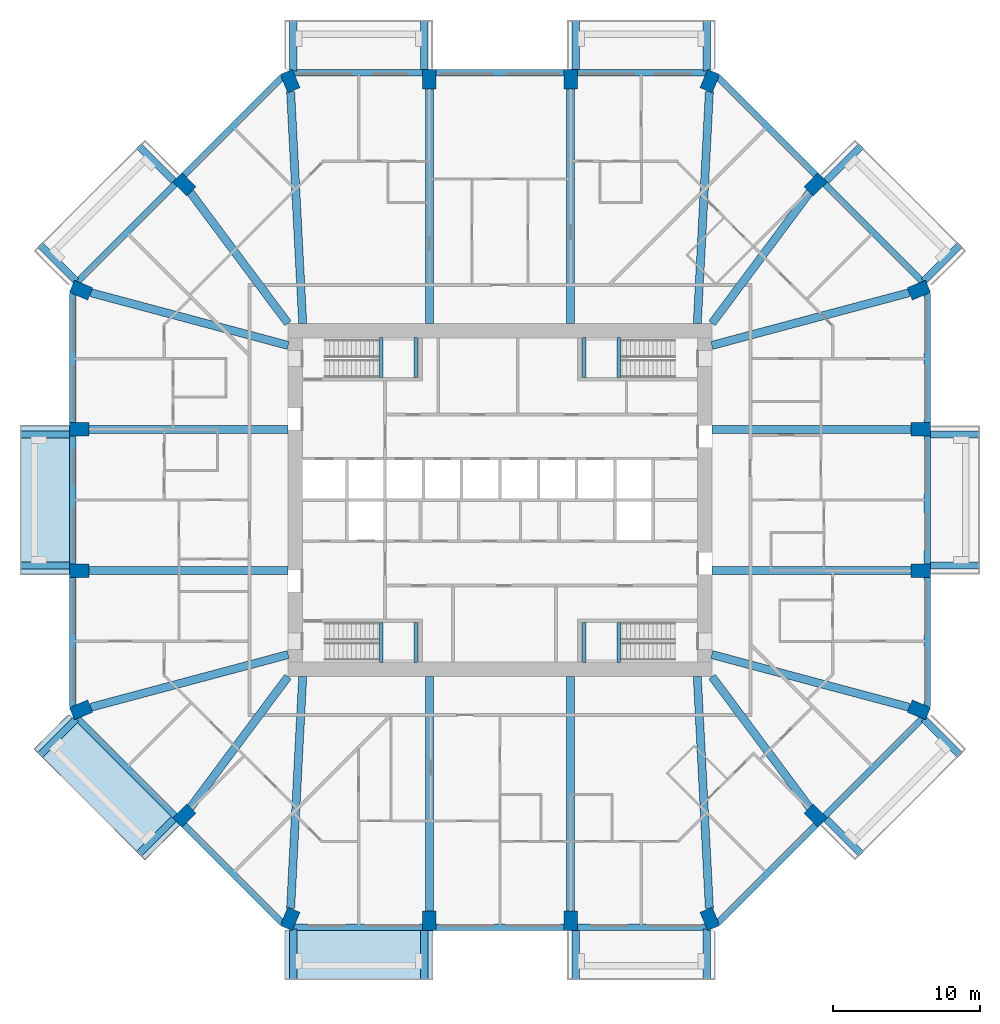
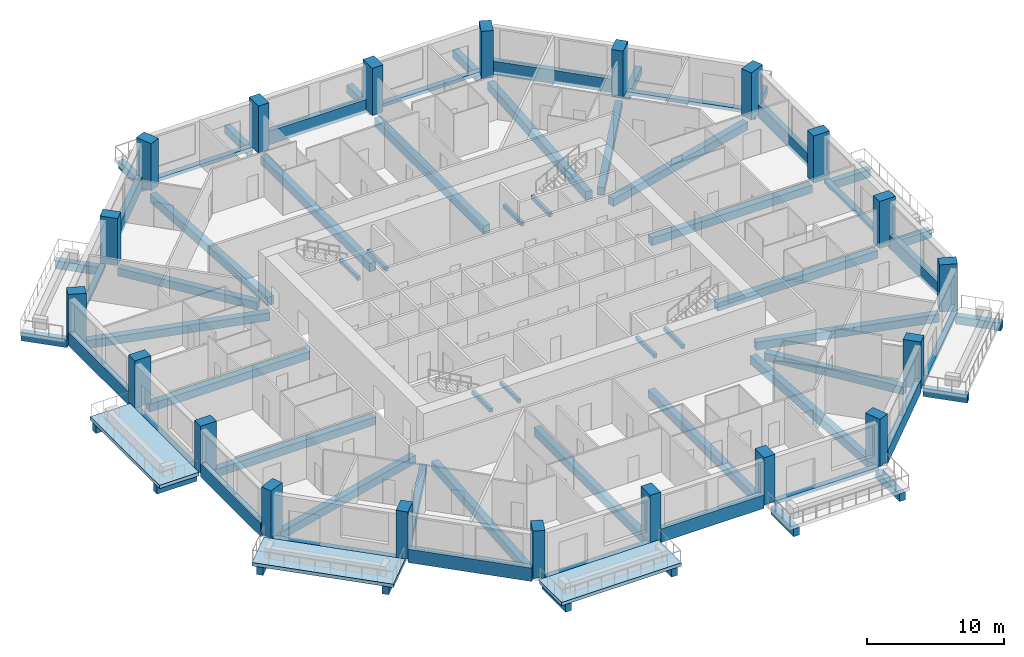
# One storey, part 1 of 13: 68 beams, 20 columns, 3 slabs.
"""IFC4 building model written with IfcOpenShell, lengths in metres."""

from ifc_helpers import new_model, si_unit, direction, frame, origin, origin_2d, place, context, subcontext, project, spatial, polyline, rectangle, outline, extrude, material, layer, layer_set, material_profile, profile_set, type_object, element, save


model = new_model("IFC4")

# Units and contexts
model_context = context("Model", 3, precision=1e-05, world=origin(), true_north=direction((0.0, 1.0)))
body_context = subcontext(model_context, "Body", "Model", "MODEL_VIEW")
ifc_project = project(units=[si_unit("LENGTHUNIT", "METRE"), si_unit("AREAUNIT", "SQUARE_METRE"), si_unit("VOLUMEUNIT", "CUBIC_METRE"), si_unit("PLANEANGLEUNIT", "RADIAN"), si_unit("MASSUNIT", "GRAM", prefix="KILO")], contexts=[model_context])

# Site, building, storey
site_placement = place(None, origin())
site = spatial("IfcSite", under=ifc_project, at=site_placement, CompositionType="ELEMENT")
building_placement = place(site_placement, origin())
building = spatial("IfcBuilding", under=site, at=building_placement, Name="Msitu Wima Residences", CompositionType="ELEMENT")
storey_placement = place(building_placement, frame((0.0, 0.0, 71.699951171875)))
storey = spatial("IfcBuildingStorey", under=building, at=storey_placement, Name="L16", CompositionType="ELEMENT", Elevation=71.699951171875)

# Columns
ifc_material_1 = material(Name="Concrete C80/95", Category="concrete")
ifc_material_profile_1 = material_profile(ifc_material_1, rectangle(XDim=0.89990234375, YDim=1.35009765625, at=origin_2d()), Name="RC 900x1350")
ifc_profile_set_1 = profile_set([ifc_material_profile_1], Name="Concrete C80/95")
column_type = type_object("IfcColumnType", Name="Column RC 900x1350 Concrete C80/95", PredefinedType="COLUMN", material=ifc_profile_set_1)
for number, where, z_axis, x_axis, name in (
    (1, (28.4541015625, -14.2568359375, 0.0), (0.0, 0.0, 1.0), (0.382683496864, 0.923879505795, 0.0), "Column L16 C-E0"),
    (2, (28.574951171875, -4.800048828125, 0.0), (0.0, 0.0, 1.0), (0.0, 1.0, 0.0), "Column L16 C-E1"),
    (3, (28.574951171875, 4.800048828125, 0.0), (0.0, 0.0, 1.0), (0.0, 1.0, 0.0), "Column L16 C-E2"),
    (4, (28.4541015625, 14.2568359375, 0.0), (0.0, 0.0, 1.0), (-0.382683496864, 0.923879505795, 0.0), "Column L16 C-NE0"),
    (5, (21.44091796875, 21.44091796875, 0.0), (0.0, 0.0, 1.0), (-0.707106781187, 0.707106781187, 0.0), "Column L16 C-NE1"),
    (6, (14.2568359375, 28.4541015625, 0.0), (0.0, 0.0, 1.0), (-0.923879505795, 0.382683496864, 0.0), "Column L16 C-N0"),
    (7, (4.800048828125, 28.574951171875, 0.0), (0.0, 0.0, 1.0), (-1.0, 0.0, 0.0), "Column L16 C-N1"),
    (8, (-4.800048828125, 28.574951171875, 0.0), (0.0, 0.0, 1.0), (-1.0, 0.0, 0.0), "Column L16 C-N2"),
    (9, (-14.2568359375, 28.4541015625, 0.0), (0.0, 0.0, 1.0), (-0.923879505795, -0.382683496864, 0.0), "Column L16 C-NW0"),
    (10, (-21.44091796875, 21.44091796875, 0.0), (0.0, 0.0, 1.0), (-0.707106781187, -0.707106781187, 0.0), "Column L16 C-NW1"),
    (11, (-28.4541015625, 14.2568359375, 0.0), (0.0, 0.0, 1.0), (-0.382683496864, -0.923879505795, 0.0), "Column L16 C-W0"),
    (12, (-28.574951171875, 4.800048828125, 0.0), (0.0, 0.0, 1.0), (0.0, -1.0, 0.0), "Column L16 C-W1"),
    (13, (-28.574951171875, -4.800048828125, 0.0), (0.0, 0.0, 1.0), (0.0, -1.0, 0.0), "Column L16 C-W2"),
    (14, (-28.4541015625, -14.2568359375, 0.0), (0.0, 0.0, 1.0), (0.382683496864, -0.923879505795, 0.0), "Column L16 C-SW0"),
    (15, (-21.44091796875, -21.44091796875, 0.0), (0.0, 0.0, 1.0), (0.707106781187, -0.707106781187, 0.0), "Column L16 C-SW1"),
    (16, (-14.2568359375, -28.4541015625, 0.0), (0.0, 0.0, 1.0), (0.923879505795, -0.382683496864, 0.0), "Column L16 C-S0"),
    (17, (-4.800048828125, -28.574951171875, 0.0), (0.0, 0.0, 1.0), (1.0, 0.0, 0.0), "Column L16 C-S1"),
    (18, (4.800048828125, -28.574951171875, 0.0), (0.0, 0.0, 1.0), (1.0, 0.0, 0.0), "Column L16 C-S2"),
    (19, (14.2568359375, -28.4541015625, 0.0), (0.0, 0.0, 1.0), (0.923879505795, 0.382683496864, 0.0), "Column L16 C-SE0"),
    (20, (21.44091796875, -21.44091796875, 0.0), (0.0, 0.0, 1.0), (0.707106781187, 0.707106781187, 0.0), "Column L16 C-SE1"),
):
    element("IfcColumn", number, at=place(storey_placement, frame(where, z_axis=z_axis, x_axis=x_axis)), inside=storey, type_object=column_type, Name=name, PredefinedType="COLUMN", context=body_context, shape_type="SweptSolid", body=[
        extrude(rectangle(XDim=0.89990234375, YDim=1.35009765625, at=origin_2d()), origin(), (0.0, 0.0, 1.0), 4.199951171875),
    ])

# Beams
ifc_material_2 = material(Name="Concrete C50/60", Category="concrete")
ifc_material_profile_2 = material_profile(ifc_material_2, rectangle(XDim=0.550048828125, YDim=0.699951171875, at=origin_2d()), Name="RC 550x700")
ifc_profile_set_2 = profile_set([ifc_material_profile_2], Name="Concrete C50/60")
beam_type_1 = type_object("IfcBeamType", Name="Beam RC 550x700 Concrete C50/60", PredefinedType="BEAM", material=ifc_profile_set_2)
beam_1_placement = place(storey_placement, frame((27.79638671875, -14.080810546875, -0.599853515625), z_axis=(-0.966081778408, 0.258236320891, 0.0), x_axis=(-0.258236320891, -0.966081778408, 0.0)))
element("IfcBeam", 21, at=beam_1_placement, inside=storey, type_object=beam_type_1, Name="Beam L16 C-E0", PredefinedType="BEAM", context=body_context, shape_type="SweptSolid", body=[
    extrude(rectangle(XDim=0.550048828125, YDim=0.699951171875, at=origin_2d()), origin(), (0.0, 0.0, 1.0), 13.878662109375),
])
for number, where, z_axis, x_axis, name in (
    (22, (27.89990234375, -4.800048828125, -0.599853515625), (-1.0, 0.0, 0.0), (0.0, -1.0, 0.0), "Beam L16 C-E1"),
    (23, (27.89990234375, 4.800048828125, -0.599853515625), (-1.0, 0.0, 0.0), (0.0, -1.0, 0.0), "Beam L16 C-E2"),
):
    element("IfcBeam", number, at=place(storey_placement, frame(where, z_axis=z_axis, x_axis=x_axis)), inside=storey, type_object=beam_type_1, Name=name, PredefinedType="BEAM", context=body_context, shape_type="SweptSolid", body=[
        extrude(rectangle(XDim=0.550048828125, YDim=0.699951171875, at=origin_2d()), origin(), (0.0, 0.0, 1.0), 13.5),
    ])
beam_2_placement = place(storey_placement, frame((27.79638671875, 14.080810546875, -0.599853515625), z_axis=(-0.966081778408, -0.258236320891, 0.0), x_axis=(0.258236320891, -0.966081778408, 0.0)))
element("IfcBeam", 24, at=beam_2_placement, inside=storey, type_object=beam_type_1, Name="Beam L16 C-NE0", PredefinedType="BEAM", context=body_context, shape_type="SweptSolid", body=[
    extrude(rectangle(XDim=0.550048828125, YDim=0.699951171875, at=origin_2d()), origin(), (0.0, 0.0, 1.0), 13.878662109375),
])
for number, where, z_axis, x_axis, name in (
    (25, (21.033203125, 20.89404296875, -0.599853515625), (-0.597850242031, -0.801607814398, 0.0), (0.801607814398, -0.597850242031, 0.0), "Beam L16 C-NE1"),
    (26, (-21.033203125, 20.89404296875, -0.599853515625), (0.597850242031, -0.801607814398, 0.0), (0.801607814398, 0.597850242031, 0.0), "Beam L16 C-NW1"),
):
    element("IfcBeam", number, at=place(storey_placement, frame(where, z_axis=z_axis, x_axis=x_axis)), inside=storey, type_object=beam_type_1, Name=name, PredefinedType="BEAM", context=body_context, shape_type="SweptSolid", body=[
        extrude(rectangle(XDim=0.550048828125, YDim=0.699951171875, at=origin_2d()), origin(), (0.0, 0.0, 1.0), 11.09521484375),
    ])
beam_3_placement = place(storey_placement, frame((-27.79638671875, 14.080810546875, -0.599853515625), z_axis=(0.966081778408, -0.258236320891, 0.0), x_axis=(0.258236320891, 0.966081778408, 0.0)))
element("IfcBeam", 27, at=beam_3_placement, inside=storey, type_object=beam_type_1, Name="Beam L16 C-W0", PredefinedType="BEAM", context=body_context, shape_type="SweptSolid", body=[
    extrude(rectangle(XDim=0.550048828125, YDim=0.699951171875, at=origin_2d()), origin(), (0.0, 0.0, 1.0), 13.878662109375),
])
for number, where, z_axis, x_axis, name in (
    (28, (-27.89990234375, 4.800048828125, -0.599853515625), (1.0, 0.0, 0.0), (0.0, 1.0, 0.0), "Beam L16 C-W1"),
    (29, (-27.89990234375, -4.800048828125, -0.599853515625), (1.0, 0.0, 0.0), (0.0, 1.0, 0.0), "Beam L16 C-W2"),
):
    element("IfcBeam", number, at=place(storey_placement, frame(where, z_axis=z_axis, x_axis=x_axis)), inside=storey, type_object=beam_type_1, Name=name, PredefinedType="BEAM", context=body_context, shape_type="SweptSolid", body=[
        extrude(rectangle(XDim=0.550048828125, YDim=0.699951171875, at=origin_2d()), origin(), (0.0, 0.0, 1.0), 13.5),
    ])
beam_4_placement = place(storey_placement, frame((-27.79638671875, -14.080810546875, -0.599853515625), z_axis=(0.966081778408, 0.258236320891, 0.0), x_axis=(-0.258236320891, 0.966081778408, 0.0)))
element("IfcBeam", 30, at=beam_4_placement, inside=storey, type_object=beam_type_1, Name="Beam L16 C-SW0", PredefinedType="BEAM", context=body_context, shape_type="SweptSolid", body=[
    extrude(rectangle(XDim=0.550048828125, YDim=0.699951171875, at=origin_2d()), origin(), (0.0, 0.0, 1.0), 13.878662109375),
])
for number, where, z_axis, x_axis, name in (
    (31, (-21.033203125, -20.89404296875, -0.599853515625), (0.597850242031, 0.801607814398, 0.0), (-0.801607814398, 0.597850242031, 0.0), "Beam L16 C-SW1"),
    (32, (21.033203125, -20.89404296875, -0.599853515625), (-0.597850242031, 0.801607814398, 0.0), (-0.801607814398, -0.597850242031, 0.0), "Beam L16 C-SE1"),
):
    element("IfcBeam", number, at=place(storey_placement, frame(where, z_axis=z_axis, x_axis=x_axis)), inside=storey, type_object=beam_type_1, Name=name, PredefinedType="BEAM", context=body_context, shape_type="SweptSolid", body=[
        extrude(rectangle(XDim=0.550048828125, YDim=0.699951171875, at=origin_2d()), origin(), (0.0, 0.0, 1.0), 11.09521484375),
    ])
ifc_material_profile_3 = material_profile(ifc_material_2, rectangle(XDim=0.550048828125, YDim=0.75, at=origin_2d()), Name="RC 550x750")
ifc_profile_set_3 = profile_set([ifc_material_profile_3], Name="Concrete C50/60")
beam_type_2 = type_object("IfcBeamType", Name="Beam RC 550x750 Concrete C50/60", PredefinedType="BEAM", material=ifc_profile_set_3)
beam_5_placement = place(storey_placement, frame((14.219482421875, 27.739013671875, -0.625), z_axis=(-0.05199418091, -0.998647387796, 0.0), x_axis=(0.998647387796, -0.05199418091, 0.0)))
element("IfcBeam", 33, at=beam_5_placement, inside=storey, type_object=beam_type_2, Name="Beam L16 C-N0", PredefinedType="BEAM", context=body_context, shape_type="SweptSolid", body=[
    extrude(rectangle(XDim=0.550048828125, YDim=0.75, at=origin_2d()), origin(), (0.0, 0.0, 1.0), 15.772216796875),
])
for number, where, z_axis, x_axis, name in (
    (34, (4.800048828125, 27.89990234375, -0.625), (0.0, -1.0, 0.0), (1.0, 0.0, 0.0), "Beam L16 C-N1"),
    (35, (-4.800048828125, 27.89990234375, -0.625), (0.0, -1.0, 0.0), (1.0, 0.0, 0.0), "Beam L16 C-N2"),
):
    element("IfcBeam", number, at=place(storey_placement, frame(where, z_axis=z_axis, x_axis=x_axis)), inside=storey, type_object=beam_type_2, Name=name, PredefinedType="BEAM", context=body_context, shape_type="SweptSolid", body=[
        extrude(rectangle(XDim=0.550048828125, YDim=0.75, at=origin_2d()), origin(), (0.0, 0.0, 1.0), 15.89990234375),
    ])
for number, where, z_axis, x_axis, name in (
    (36, (-14.219482421875, 27.739013671875, -0.625), (0.05199418091, -0.998647387796, 0.0), (0.998647387796, 0.05199418091, 0.0), "Beam L16 C-NW0"),
    (37, (-14.219482421875, -27.739013671875, -0.625), (0.05199418091, 0.998647387796, 0.0), (-0.998647387796, 0.05199418091, 0.0), "Beam L16 C-S0"),
):
    element("IfcBeam", number, at=place(storey_placement, frame(where, z_axis=z_axis, x_axis=x_axis)), inside=storey, type_object=beam_type_2, Name=name, PredefinedType="BEAM", context=body_context, shape_type="SweptSolid", body=[
        extrude(rectangle(XDim=0.550048828125, YDim=0.75, at=origin_2d()), origin(), (0.0, 0.0, 1.0), 15.772216796875),
    ])
for number, where, z_axis, x_axis, name in (
    (38, (-4.800048828125, -27.89990234375, -0.625), (0.0, 1.0, 0.0), (-1.0, 0.0, 0.0), "Beam L16 C-S1"),
    (39, (4.800048828125, -27.89990234375, -0.625), (0.0, 1.0, 0.0), (-1.0, 0.0, 0.0), "Beam L16 C-S2"),
):
    element("IfcBeam", number, at=place(storey_placement, frame(where, z_axis=z_axis, x_axis=x_axis)), inside=storey, type_object=beam_type_2, Name=name, PredefinedType="BEAM", context=body_context, shape_type="SweptSolid", body=[
        extrude(rectangle(XDim=0.550048828125, YDim=0.75, at=origin_2d()), origin(), (0.0, 0.0, 1.0), 15.89990234375),
    ])
beam_6_placement = place(storey_placement, frame((14.219482421875, -27.739013671875, -0.625), z_axis=(-0.05199418091, 0.998647387796, 0.0), x_axis=(-0.998647387796, -0.05199418091, 0.0)))
element("IfcBeam", 40, at=beam_6_placement, inside=storey, type_object=beam_type_2, Name="Beam L16 C-SE0", PredefinedType="BEAM", context=body_context, shape_type="SweptSolid", body=[
    extrude(rectangle(XDim=0.550048828125, YDim=0.75, at=origin_2d()), origin(), (0.0, 0.0, 1.0), 15.772216796875),
])
ifc_material_profile_4 = material_profile(ifc_material_2, rectangle(XDim=0.5, YDim=0.699951171875, at=origin_2d()), Name="RC 500x700")
ifc_profile_set_4 = profile_set([ifc_material_profile_4], Name="Concrete C50/60")
beam_type_3 = type_object("IfcBeamType", Name="Cantilever beam RC 500x700 Concrete C50/60", PredefinedType="BEAM", material=ifc_profile_set_4)
for number, where, z_axis, x_axis, name in (
    (41, (29.25, -4.449951171875, -0.64990234375), (1.0, 0.0, 0.0), (0.0, 1.0, 0.0), "Cantilever beam L16 BA-E1 A"),
    (42, (29.25, 4.449951171875, -0.64990234375), (1.0, 0.0, 0.0), (0.0, 1.0, 0.0), "Cantilever beam L16 BA-E1 B"),
):
    element("IfcBeam", number, at=place(storey_placement, frame(where, z_axis=z_axis, x_axis=x_axis)), inside=storey, type_object=beam_type_3, Name=name, PredefinedType="BEAM", context=body_context, shape_type="SweptSolid", body=[
        extrude(rectangle(XDim=0.5, YDim=0.699951171875, at=origin_2d()), origin(), (0.0, 0.0, 1.0), 3.35009765625),
    ])
beam_7_placement = place(storey_placement, frame((28.78662109375, 14.881591796875, -0.64990234375), z_axis=(0.707106781187, 0.707106781187, 0.0), x_axis=(-0.707106781187, 0.707106781187, 0.0)))
element("IfcBeam", 43, at=beam_7_placement, inside=storey, type_object=beam_type_3, Name="Cantilever beam L16 BA-NE0 A", PredefinedType="BEAM", context=body_context, shape_type="SweptSolid", body=[
    extrude(rectangle(XDim=0.5, YDim=0.699951171875, at=origin_2d()), origin(), (0.0, 0.0, 1.0), 3.468994140625),
])
beam_8_placement = place(storey_placement, frame((22.165771484375, 21.670654296875, -0.64990234375), z_axis=(0.707070340836, 0.707143219659, 0.0), x_axis=(-0.707143219659, 0.707070340836, 0.0)))
element("IfcBeam", 44, at=beam_8_placement, inside=storey, type_object=beam_type_3, Name="Cantilever beam L16 BA-NE0 B", PredefinedType="BEAM", context=body_context, shape_type="SweptSolid", body=[
    extrude(rectangle(XDim=0.5, YDim=0.699951171875, at=origin_2d()), origin(), (0.0, 0.0, 1.0), 3.349853515625),
])
beam_9_placement = place(storey_placement, frame((14.050048828125, 29.130859375, -0.64990234375), z_axis=(0.0, 1.0, 0.0), x_axis=(-1.0, 0.0, 0.0)))
element("IfcBeam", 45, at=beam_9_placement, inside=storey, type_object=beam_type_3, Name="Cantilever beam L16 BA-N0 A", PredefinedType="BEAM", context=body_context, shape_type="SweptSolid", body=[
    extrude(rectangle(XDim=0.5, YDim=0.699951171875, at=origin_2d()), origin(), (0.0, 0.0, 1.0), 3.46923828125),
])
for number, where, z_axis, x_axis, name in (
    (46, (5.14990234375, 29.25, -0.64990234375), (0.0, 1.0, 0.0), (-1.0, 0.0, 0.0), "Cantilever beam L16 BA-N0 B"),
    (47, (-5.14990234375, 29.25, -0.64990234375), (0.0, 1.0, 0.0), (-1.0, 0.0, 0.0), "Cantilever beam L16 BA-N2 A"),
):
    element("IfcBeam", number, at=place(storey_placement, frame(where, z_axis=z_axis, x_axis=x_axis)), inside=storey, type_object=beam_type_3, Name=name, PredefinedType="BEAM", context=body_context, shape_type="SweptSolid", body=[
        extrude(rectangle(XDim=0.5, YDim=0.699951171875, at=origin_2d()), origin(), (0.0, 0.0, 1.0), 3.35009765625),
    ])
beam_10_placement = place(storey_placement, frame((-14.050048828125, 29.130859375, -0.64990234375), z_axis=(0.0, 1.0, 0.0), x_axis=(-1.0, 0.0, 0.0)))
element("IfcBeam", 48, at=beam_10_placement, inside=storey, type_object=beam_type_3, Name="Cantilever beam L16 BA-N2 B", PredefinedType="BEAM", context=body_context, shape_type="SweptSolid", body=[
    extrude(rectangle(XDim=0.5, YDim=0.699951171875, at=origin_2d()), origin(), (0.0, 0.0, 1.0), 3.46923828125),
])
beam_11_placement = place(storey_placement, frame((-22.165771484375, 21.670654296875, -0.64990234375), z_axis=(-0.707070340836, 0.707143219659, 0.0), x_axis=(-0.707143219659, -0.707070340836, 0.0)))
element("IfcBeam", 49, at=beam_11_placement, inside=storey, type_object=beam_type_3, Name="Cantilever beam L16 BA-NW1 A", PredefinedType="BEAM", context=body_context, shape_type="SweptSolid", body=[
    extrude(rectangle(XDim=0.5, YDim=0.699951171875, at=origin_2d()), origin(), (0.0, 0.0, 1.0), 3.349853515625),
])
beam_12_placement = place(storey_placement, frame((-28.78662109375, 14.881591796875, -0.64990234375), z_axis=(-0.707106781187, 0.707106781187, 0.0), x_axis=(-0.707106781187, -0.707106781187, 0.0)))
element("IfcBeam", 50, at=beam_12_placement, inside=storey, type_object=beam_type_3, Name="Cantilever beam L16 BA-NW1 B", PredefinedType="BEAM", context=body_context, shape_type="SweptSolid", body=[
    extrude(rectangle(XDim=0.5, YDim=0.699951171875, at=origin_2d()), origin(), (0.0, 0.0, 1.0), 3.468994140625),
])
for number, where, z_axis, x_axis, name in (
    (51, (-29.25, 4.449951171875, -0.64990234375), (-1.0, 0.0, 0.0), (0.0, -1.0, 0.0), "Cantilever beam L16 BA-W1 A"),
    (52, (-29.25, -4.449951171875, -0.64990234375), (-1.0, 0.0, 0.0), (0.0, -1.0, 0.0), "Cantilever beam L16 BA-W1 B"),
):
    element("IfcBeam", number, at=place(storey_placement, frame(where, z_axis=z_axis, x_axis=x_axis)), inside=storey, type_object=beam_type_3, Name=name, PredefinedType="BEAM", context=body_context, shape_type="SweptSolid", body=[
        extrude(rectangle(XDim=0.5, YDim=0.699951171875, at=origin_2d()), origin(), (0.0, 0.0, 1.0), 3.35009765625),
    ])
beam_13_placement = place(storey_placement, frame((-28.78662109375, -14.881591796875, -0.64990234375), z_axis=(-0.707106781187, -0.707106781187, 0.0), x_axis=(0.707106781187, -0.707106781187, 0.0)))
element("IfcBeam", 53, at=beam_13_placement, inside=storey, type_object=beam_type_3, Name="Cantilever beam L16 BA-SW0 A", PredefinedType="BEAM", context=body_context, shape_type="SweptSolid", body=[
    extrude(rectangle(XDim=0.5, YDim=0.699951171875, at=origin_2d()), origin(), (0.0, 0.0, 1.0), 3.468994140625),
])
beam_14_placement = place(storey_placement, frame((-22.165771484375, -21.670654296875, -0.64990234375), z_axis=(-0.707070340836, -0.707143219659, 0.0), x_axis=(0.707143219659, -0.707070340836, 0.0)))
element("IfcBeam", 54, at=beam_14_placement, inside=storey, type_object=beam_type_3, Name="Cantilever beam L16 BA-SW0 B", PredefinedType="BEAM", context=body_context, shape_type="SweptSolid", body=[
    extrude(rectangle(XDim=0.5, YDim=0.699951171875, at=origin_2d()), origin(), (0.0, 0.0, 1.0), 3.349853515625),
])
beam_15_placement = place(storey_placement, frame((-14.050048828125, -29.130859375, -0.64990234375), z_axis=(0.0, -1.0, 0.0), x_axis=(1.0, 0.0, 0.0)))
element("IfcBeam", 55, at=beam_15_placement, inside=storey, type_object=beam_type_3, Name="Cantilever beam L16 BA-S0 A", PredefinedType="BEAM", context=body_context, shape_type="SweptSolid", body=[
    extrude(rectangle(XDim=0.5, YDim=0.699951171875, at=origin_2d()), origin(), (0.0, 0.0, 1.0), 3.46923828125),
])
for number, where, z_axis, x_axis, name in (
    (56, (-5.14990234375, -29.25, -0.64990234375), (0.0, -1.0, 0.0), (1.0, 0.0, 0.0), "Cantilever beam L16 BA-S0 B"),
    (57, (5.14990234375, -29.25, -0.64990234375), (0.0, -1.0, 0.0), (1.0, 0.0, 0.0), "Cantilever beam L16 BA-S2 A"),
):
    element("IfcBeam", number, at=place(storey_placement, frame(where, z_axis=z_axis, x_axis=x_axis)), inside=storey, type_object=beam_type_3, Name=name, PredefinedType="BEAM", context=body_context, shape_type="SweptSolid", body=[
        extrude(rectangle(XDim=0.5, YDim=0.699951171875, at=origin_2d()), origin(), (0.0, 0.0, 1.0), 3.35009765625),
    ])
beam_16_placement = place(storey_placement, frame((14.050048828125, -29.130859375, -0.64990234375), z_axis=(0.0, -1.0, 0.0), x_axis=(1.0, 0.0, 0.0)))
element("IfcBeam", 58, at=beam_16_placement, inside=storey, type_object=beam_type_3, Name="Cantilever beam L16 BA-S2 B", PredefinedType="BEAM", context=body_context, shape_type="SweptSolid", body=[
    extrude(rectangle(XDim=0.5, YDim=0.699951171875, at=origin_2d()), origin(), (0.0, 0.0, 1.0), 3.46923828125),
])
beam_17_placement = place(storey_placement, frame((22.165771484375, -21.670654296875, -0.64990234375), z_axis=(0.707070340836, -0.707143219659, 0.0), x_axis=(0.707143219659, 0.707070340836, 0.0)))
element("IfcBeam", 59, at=beam_17_placement, inside=storey, type_object=beam_type_3, Name="Cantilever beam L16 BA-SE1 A", PredefinedType="BEAM", context=body_context, shape_type="SweptSolid", body=[
    extrude(rectangle(XDim=0.5, YDim=0.699951171875, at=origin_2d()), origin(), (0.0, 0.0, 1.0), 3.349853515625),
])
beam_18_placement = place(storey_placement, frame((28.78662109375, -14.881591796875, -0.64990234375), z_axis=(0.707106781187, -0.707106781187, 0.0), x_axis=(0.707106781187, 0.707106781187, 0.0)))
element("IfcBeam", 60, at=beam_18_placement, inside=storey, type_object=beam_type_3, Name="Cantilever beam L16 BA-SE1 B", PredefinedType="BEAM", context=body_context, shape_type="SweptSolid", body=[
    extrude(rectangle(XDim=0.5, YDim=0.699951171875, at=origin_2d()), origin(), (0.0, 0.0, 1.0), 3.468994140625),
])
ifc_material_profile_5 = material_profile(ifc_material_2, rectangle(XDim=0.449951171875, YDim=0.300048828125, at=origin_2d()), Name="RC 450x300")
ifc_profile_set_5 = profile_set([ifc_material_profile_5], Name="Concrete C50/60")
beam_type_4 = type_object("IfcBeamType", Name="Edge beam RC 450x300 Concrete C50/60", PredefinedType="SPANDREL", material=ifc_profile_set_5)
beam_19_placement = place(storey_placement, frame((29.02490234375, -4.35009765625, -0.14990234375), z_axis=(0.0, 1.0, 0.0), x_axis=(-1.0, 0.0, 0.0)))
element("IfcBeam", 61, at=beam_19_placement, inside=storey, type_object=beam_type_4, Name="Spandrel L16 E1", PredefinedType="SPANDREL", context=body_context, shape_type="SweptSolid", body=[
    extrude(rectangle(XDim=0.449951171875, YDim=0.300048828125, at=origin_2d()), origin(), (0.0, 0.0, 1.0), 8.7001953125),
])
beam_20_placement = place(storey_placement, frame((28.68896484375, 14.8291015625, -0.14990234375), z_axis=(-0.707093725903, 0.707119836229, 0.0), x_axis=(-0.707119836229, -0.707093725903, 0.0)))
element("IfcBeam", 62, at=beam_20_placement, inside=storey, type_object=beam_type_4, Name="Spandrel L16 NE0", PredefinedType="SPANDREL", context=body_context, shape_type="SweptSolid", body=[
    extrude(rectangle(XDim=0.449951171875, YDim=0.300048828125, at=origin_2d()), origin(), (0.0, 0.0, 1.0), 9.350341796875),
])
for number, where, z_axis, x_axis, name in (
    (63, (14.01806640625, 29.02490234375, -0.14990234375), (-1.0, 0.0, 0.0), (0.0, -1.0, 0.0), "Spandrel L16 N0"),
    (64, (-5.25, 29.02490234375, -0.14990234375), (-1.0, 0.0, 0.0), (0.0, -1.0, 0.0), "Spandrel L16 N2"),
):
    element("IfcBeam", number, at=place(storey_placement, frame(where, z_axis=z_axis, x_axis=x_axis)), inside=storey, type_object=beam_type_4, Name=name, PredefinedType="SPANDREL", context=body_context, shape_type="SweptSolid", body=[
        extrude(rectangle(XDim=0.449951171875, YDim=0.300048828125, at=origin_2d()), origin(), (0.0, 0.0, 1.0), 8.76806640625),
    ])
beam_21_placement = place(storey_placement, frame((-22.077392578125, 21.44091796875, -0.14990234375), z_axis=(-0.707093725903, -0.707119836229, 0.0), x_axis=(0.707119836229, -0.707093725903, 0.0)))
element("IfcBeam", 65, at=beam_21_placement, inside=storey, type_object=beam_type_4, Name="Spandrel L16 NW1", PredefinedType="SPANDREL", context=body_context, shape_type="SweptSolid", body=[
    extrude(rectangle(XDim=0.449951171875, YDim=0.300048828125, at=origin_2d()), origin(), (0.0, 0.0, 1.0), 9.350341796875),
])
beam_22_placement = place(storey_placement, frame((-29.02490234375, 4.35009765625, -0.14990234375), z_axis=(0.0, -1.0, 0.0), x_axis=(1.0, 0.0, 0.0)))
element("IfcBeam", 66, at=beam_22_placement, inside=storey, type_object=beam_type_4, Name="Spandrel L16 W1", PredefinedType="SPANDREL", context=body_context, shape_type="SweptSolid", body=[
    extrude(rectangle(XDim=0.449951171875, YDim=0.300048828125, at=origin_2d()), origin(), (0.0, 0.0, 1.0), 8.7001953125),
])
beam_23_placement = place(storey_placement, frame((-28.68896484375, -14.8291015625, -0.14990234375), z_axis=(0.707093725903, -0.707119836229, 0.0), x_axis=(0.707119836229, 0.707093725903, 0.0)))
element("IfcBeam", 67, at=beam_23_placement, inside=storey, type_object=beam_type_4, Name="Spandrel L16 SW0", PredefinedType="SPANDREL", context=body_context, shape_type="SweptSolid", body=[
    extrude(rectangle(XDim=0.449951171875, YDim=0.300048828125, at=origin_2d()), origin(), (0.0, 0.0, 1.0), 9.350341796875),
])
for number, where, z_axis, x_axis, name in (
    (68, (-14.01806640625, -29.02490234375, -0.14990234375), (1.0, 0.0, 0.0), (0.0, 1.0, 0.0), "Spandrel L16 S0"),
    (69, (5.25, -29.02490234375, -0.14990234375), (1.0, 0.0, 0.0), (0.0, 1.0, 0.0), "Spandrel L16 S2"),
):
    element("IfcBeam", number, at=place(storey_placement, frame(where, z_axis=z_axis, x_axis=x_axis)), inside=storey, type_object=beam_type_4, Name=name, PredefinedType="SPANDREL", context=body_context, shape_type="SweptSolid", body=[
        extrude(rectangle(XDim=0.449951171875, YDim=0.300048828125, at=origin_2d()), origin(), (0.0, 0.0, 1.0), 8.76806640625),
    ])
beam_24_placement = place(storey_placement, frame((22.077392578125, -21.44091796875, -0.14990234375), z_axis=(0.707093725903, 0.707119836229, 0.0), x_axis=(-0.707119836229, 0.707093725903, 0.0)))
element("IfcBeam", 70, at=beam_24_placement, inside=storey, type_object=beam_type_4, Name="Spandrel L16 SE1", PredefinedType="SPANDREL", context=body_context, shape_type="SweptSolid", body=[
    extrude(rectangle(XDim=0.449951171875, YDim=0.300048828125, at=origin_2d()), origin(), (0.0, 0.0, 1.0), 9.350341796875),
])
ifc_material_3 = material(Name="Concrete C40/50", Category="concrete")
ifc_material_profile_6 = material_profile(ifc_material_3, rectangle(XDim=0.25, YDim=0.35009765625, at=origin_2d()), Name="RC 250x350")
ifc_profile_set_6 = profile_set([ifc_material_profile_6], Name="Concrete C40/50")
beam_type_5 = type_object("IfcBeamType", Name="Landing beam RC 250x350", PredefinedType="BEAM", material=ifc_profile_set_6)
for number, where, z_axis, x_axis, name in (
    (71, (-8.074951171875, 8.324951171875, 1.72509765625), (0.0, 1.0, 0.0), (-1.0, 0.0, 0.0), "Stair 1 landing beam"),
    (72, (-5.72509765625, 8.324951171875, 1.72509765625), (0.0, 1.0, 0.0), (-1.0, 0.0, 0.0), "Stair 1 landing beam"),
    (73, (-8.074951171875, -11.02490234375, 1.72509765625), (0.0, 1.0, 0.0), (-1.0, 0.0, 0.0), "Stair 2 landing beam"),
    (74, (-5.72509765625, -11.02490234375, 1.72509765625), (0.0, 1.0, 0.0), (-1.0, 0.0, 0.0), "Stair 2 landing beam"),
    (75, (8.074951171875, 8.324951171875, 1.72509765625), (0.0, 1.0, 0.0), (-1.0, 0.0, 0.0), "Stair 3 landing beam"),
    (76, (5.72509765625, 8.324951171875, 1.72509765625), (0.0, 1.0, 0.0), (-1.0, 0.0, 0.0), "Stair 3 landing beam"),
    (77, (8.074951171875, -11.02490234375, 1.72509765625), (0.0, 1.0, 0.0), (-1.0, 0.0, 0.0), "Stair 4 landing beam"),
    (78, (5.72509765625, -11.02490234375, 1.72509765625), (0.0, 1.0, 0.0), (-1.0, 0.0, 0.0), "Stair 4 landing beam"),
):
    element("IfcBeam", number, at=place(storey_placement, frame(where, z_axis=z_axis, x_axis=x_axis)), inside=storey, type_object=beam_type_5, Name=name, PredefinedType="BEAM", context=body_context, shape_type="SweptSolid", body=[
        extrude(rectangle(XDim=0.25, YDim=0.35009765625, at=origin_2d()), origin(), (0.0, 0.0, 1.0), 2.699951171875),
    ])
ifc_material_profile_7 = material_profile(ifc_material_2, rectangle(XDim=0.449951171875, YDim=1.199951171875, at=origin_2d()), Name="RC 450x1200")
ifc_profile_set_7 = profile_set([ifc_material_profile_7], Name="Concrete C50/60")
beam_type_6 = type_object("IfcBeamType", Name="Spandrel RC 450x1200 Concrete C50/60", PredefinedType="SPANDREL", material=ifc_profile_set_7)
for number, where, z_axis, x_axis, name in (
    (79, (29.02490234375, -14.01806640625, 0.300048828125), (0.0, 1.0, 0.0), (-1.0, 0.0, 0.0), "Spandrel L16 E0"),
    (80, (29.02490234375, 5.25, 0.300048828125), (0.0, 1.0, 0.0), (-1.0, 0.0, 0.0), "Spandrel L16 E2"),
):
    element("IfcBeam", number, at=place(storey_placement, frame(where, z_axis=z_axis, x_axis=x_axis)), inside=storey, type_object=beam_type_6, Name=name, PredefinedType="SPANDREL", context=body_context, shape_type="SweptSolid", body=[
        extrude(rectangle(XDim=0.449951171875, YDim=1.199951171875, at=origin_2d()), origin(), (0.0, 0.0, 1.0), 8.76806640625),
    ])
beam_25_placement = place(storey_placement, frame((21.44091796875, 22.077392578125, 0.300048828125), z_axis=(-0.707119836229, 0.707093725903, 0.0), x_axis=(-0.707093725903, -0.707119836229, 0.0)))
element("IfcBeam", 81, at=beam_25_placement, inside=storey, type_object=beam_type_6, Name="Spandrel L16 NE1", PredefinedType="SPANDREL", context=body_context, shape_type="SweptSolid", body=[
    extrude(rectangle(XDim=0.449951171875, YDim=1.199951171875, at=origin_2d()), origin(), (0.0, 0.0, 1.0), 9.350341796875),
])
beam_26_placement = place(storey_placement, frame((4.35009765625, 29.02490234375, 0.300048828125), z_axis=(-1.0, 0.0, 0.0), x_axis=(0.0, -1.0, 0.0)))
element("IfcBeam", 82, at=beam_26_placement, inside=storey, type_object=beam_type_6, Name="Spandrel L16 N1", PredefinedType="SPANDREL", context=body_context, shape_type="SweptSolid", body=[
    extrude(rectangle(XDim=0.449951171875, YDim=1.199951171875, at=origin_2d()), origin(), (0.0, 0.0, 1.0), 8.7001953125),
])
beam_27_placement = place(storey_placement, frame((-14.8291015625, 28.68896484375, 0.300048828125), z_axis=(-0.707119836229, -0.707093725903, 0.0), x_axis=(0.707093725903, -0.707119836229, 0.0)))
element("IfcBeam", 83, at=beam_27_placement, inside=storey, type_object=beam_type_6, Name="Spandrel L16 NW0", PredefinedType="SPANDREL", context=body_context, shape_type="SweptSolid", body=[
    extrude(rectangle(XDim=0.449951171875, YDim=1.199951171875, at=origin_2d()), origin(), (0.0, 0.0, 1.0), 9.350341796875),
])
for number, where, z_axis, x_axis, name in (
    (84, (-29.02490234375, 14.01806640625, 0.300048828125), (0.0, -1.0, 0.0), (1.0, 0.0, 0.0), "Spandrel L16 W0"),
    (85, (-29.02490234375, -5.25, 0.300048828125), (0.0, -1.0, 0.0), (1.0, 0.0, 0.0), "Spandrel L16 W2"),
):
    element("IfcBeam", number, at=place(storey_placement, frame(where, z_axis=z_axis, x_axis=x_axis)), inside=storey, type_object=beam_type_6, Name=name, PredefinedType="SPANDREL", context=body_context, shape_type="SweptSolid", body=[
        extrude(rectangle(XDim=0.449951171875, YDim=1.199951171875, at=origin_2d()), origin(), (0.0, 0.0, 1.0), 8.76806640625),
    ])
beam_28_placement = place(storey_placement, frame((-21.44091796875, -22.077392578125, 0.300048828125), z_axis=(0.707119836229, -0.707093725903, 0.0), x_axis=(0.707093725903, 0.707119836229, 0.0)))
element("IfcBeam", 86, at=beam_28_placement, inside=storey, type_object=beam_type_6, Name="Spandrel L16 SW1", PredefinedType="SPANDREL", context=body_context, shape_type="SweptSolid", body=[
    extrude(rectangle(XDim=0.449951171875, YDim=1.199951171875, at=origin_2d()), origin(), (0.0, 0.0, 1.0), 9.350341796875),
])
beam_29_placement = place(storey_placement, frame((-4.35009765625, -29.02490234375, 0.300048828125), z_axis=(1.0, 0.0, 0.0), x_axis=(0.0, 1.0, 0.0)))
element("IfcBeam", 87, at=beam_29_placement, inside=storey, type_object=beam_type_6, Name="Spandrel L16 S1", PredefinedType="SPANDREL", context=body_context, shape_type="SweptSolid", body=[
    extrude(rectangle(XDim=0.449951171875, YDim=1.199951171875, at=origin_2d()), origin(), (0.0, 0.0, 1.0), 8.7001953125),
])
beam_30_placement = place(storey_placement, frame((14.8291015625, -28.68896484375, 0.300048828125), z_axis=(0.707119836229, 0.707093725903, 0.0), x_axis=(-0.707093725903, 0.707119836229, 0.0)))
element("IfcBeam", 88, at=beam_30_placement, inside=storey, type_object=beam_type_6, Name="Spandrel L16 SE0", PredefinedType="SPANDREL", context=body_context, shape_type="SweptSolid", body=[
    extrude(rectangle(XDim=0.449951171875, YDim=1.199951171875, at=origin_2d()), origin(), (0.0, 0.0, 1.0), 9.350341796875),
])

# Slabs
ifc_layer = layer(ifc_material_3, 0.300048828125)
ifc_layer_set = layer_set([ifc_layer], Name="Concrete C40/50")
slab_type = type_object("IfcSlabType", Name="Balcony slab BS300", PredefinedType="FLOOR", material=ifc_layer_set)
slab_1_placement = place(storey_placement, frame((0.0, 0.0, -0.300048828125)))
element("IfcSlab", 89, at=slab_1_placement, inside=storey, type_object=slab_type, Name="Balcony W1 L16", PredefinedType="FLOOR", context=body_context, shape_type="SweptSolid", body=[
    extrude(outline(polyline([(-29.25, 4.35009765625), (-29.25, -4.35009765625), (-29.25, -5.050048828125), (-32.60009765625, -5.050048828125), (-32.60009765625, 5.050048828125), (-29.25, 5.050048828125), (-29.25, 4.35009765625)])), origin(), (0.0, 0.0, 1.0), 0.300048828125),
])
slab_2_placement = place(storey_placement, frame((0.0, 0.0, -0.300048828125)))
element("IfcSlab", 90, at=slab_2_placement, inside=storey, type_object=slab_type, Name="Balcony SW0 L16", PredefinedType="FLOOR", context=body_context, shape_type="SweptSolid", body=[
    extrude(outline(polyline([(-24.1103515625, -24.4638671875), (-31.663818359375, -16.91015625), (-29.403564453125, -14.64990234375), (-29.25, -14.58642578125), (-21.741455078125, -22.094970703125), (-24.1103515625, -24.4638671875)])), origin(), (0.0, 0.0, 1.0), 0.300048828125),
])
slab_3_placement = place(storey_placement, frame((0.0, 0.0, -0.300048828125)))
element("IfcSlab", 91, at=slab_3_placement, inside=storey, type_object=slab_type, Name="Balcony S0 L16", PredefinedType="FLOOR", context=body_context, shape_type="SweptSolid", body=[
    extrude(outline(polyline([(-14.099365234375, -29.25), (-14.099365234375, -29.25), (-5.25, -29.25), (-4.550048828125, -29.25), (-4.550048828125, -32.60009765625), (-14.64990234375, -32.60009765625), (-14.64990234375, -29.403564453125), (-14.58642578125, -29.25), (-14.099365234375, -29.25), (-14.099365234375, -29.25)])), origin(), (0.0, 0.0, 1.0), 0.300048828125),
])

save(model, "model.ifc")
